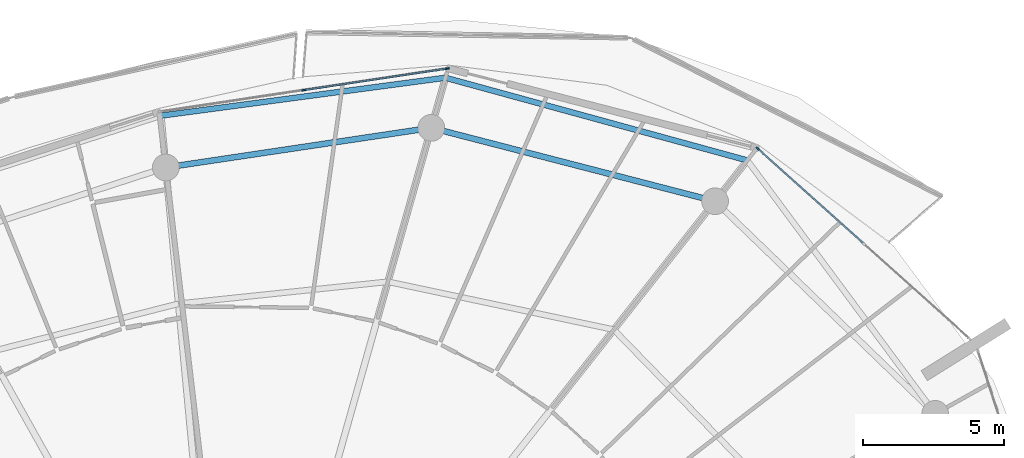
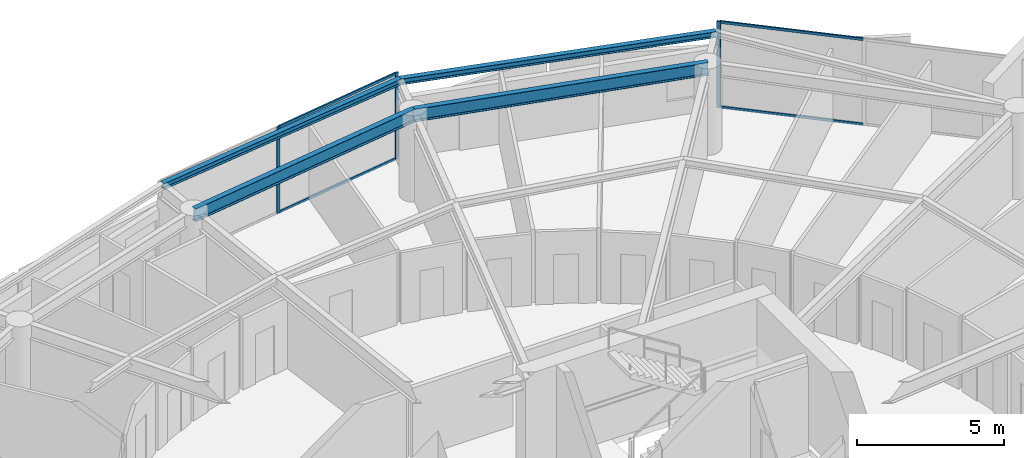
# One storey, part 16 of 30: 7 members, 4 beams, 2 elements without a shape of their own.
"""IFC4 building model written with IfcOpenShell, lengths in metres."""

from ifc_helpers import new_model, si_unit, direction, frame, origin, origin_2d, place, context, subcontext, project, spatial, rectangle, i_section, extrude, material, layer, layer_set, material_profile, profile_set, type_object, element, aggregate, save


model = new_model("IFC4")

# Units and contexts
model_context = context("Model", 3, precision=1e-05, world=origin(), true_north=direction((0.0, 1.0)))
body_context = subcontext(model_context, "Body", "Model", "MODEL_VIEW")
ifc_project = project(units=[si_unit("LENGTHUNIT", "METRE"), si_unit("AREAUNIT", "SQUARE_METRE"), si_unit("VOLUMEUNIT", "CUBIC_METRE"), si_unit("PLANEANGLEUNIT", "RADIAN"), si_unit("MASSUNIT", "GRAM", prefix="KILO")], contexts=[model_context])

# Site, building, storey
site_placement = place(None, origin())
site = spatial("IfcSite", under=ifc_project, at=site_placement, CompositionType="ELEMENT")
building_placement = place(site_placement, origin())
building = spatial("IfcBuilding", under=site, at=building_placement, Name="Kazma Halo Residences", CompositionType="ELEMENT")
storey_placement = place(building_placement, frame((0.0, 0.0, 267.5)))
storey = spatial("IfcBuildingStorey", under=building, at=storey_placement, Name="L67", CompositionType="ELEMENT", Elevation=267.5)

# Beams
ifc_material_1 = material(Name="Steel S355", Category="steel")
ifc_material_profile_1 = material_profile(ifc_material_1, i_section(OverallWidth=0.201904296875, OverallDepth=0.2470703125, WebThickness=0.00732421875, FlangeThickness=0.010986328125, FilletRadius=0.011962890625, at=origin_2d()), Name="W250x49.1")
ifc_profile_set_1 = profile_set([ifc_material_profile_1], Name="Steel S355")
beam_type_1 = type_object("IfcBeamType", Name="BM-BAL-CANT", PredefinedType="BEAM", material=ifc_profile_set_1)
beam_1_placement = place(storey_placement, frame((65.992431640625, 64.823486328125, 3.466552734375), z_axis=(-0.964514665976, 0.264029277006, 0.0), x_axis=(-0.264029277006, -0.964514665976, 0.0)))
element("IfcBeam", 1, at=beam_1_placement, inside=storey, type_object=beam_type_1, Name="L67 wave-balcony tie beam 02", PredefinedType="BEAM", context=body_context, shape_type="SweptSolid", body=[
    extrude(i_section(OverallWidth=0.201904296875, OverallDepth=0.2470703125, WebThickness=0.00732421875, FlangeThickness=0.010986328125, FilletRadius=0.011962890625, at=origin_2d()), origin(), (0.0, 0.0, 1.0), 11.1220703125),
])
beam_2_placement = place(storey_placement, frame((55.26513671875, 67.760009765625, 3.466552734375), z_axis=(-0.991234798397, -0.132111976922, 0.0), x_axis=(0.132111976922, -0.991234798397, 0.0)))
element("IfcBeam", 2, at=beam_2_placement, inside=storey, type_object=beam_type_1, Name="L67 wave-balcony tie beam 03", PredefinedType="BEAM", context=body_context, shape_type="SweptSolid", body=[
    extrude(i_section(OverallWidth=0.201904296875, OverallDepth=0.2470703125, WebThickness=0.00732421875, FlangeThickness=0.010986328125, FilletRadius=0.011962890625, at=origin_2d()), origin(), (0.0, 0.0, 1.0), 10.198974609375),
])
ifc_material_profile_2 = material_profile(ifc_material_1, i_section(OverallWidth=0.208984375, OverallDepth=0.532958984375, WebThickness=0.01025390625, FlangeThickness=0.015625, FilletRadius=0.01611328125, at=origin_2d()), Name="W530x92")
ifc_profile_set_2 = profile_set([ifc_material_profile_2], Name="Steel S355")
beam_type_2 = type_object("IfcBeamType", Name="BM-SPN-W530", PredefinedType="BEAM", material=ifc_profile_set_2)
beam_3_placement = place(storey_placement, frame((64.84716796875, 63.37060546875, 3.323486328125), z_axis=(-0.968126042852, 0.250463500639, 0.0), x_axis=(-0.250463500639, -0.968126042852, 0.0)))
element("IfcBeam", 3, at=beam_3_placement, inside=storey, type_object=beam_type_2, Name="L67 perimeter ring beam 02", PredefinedType="BEAM", context=body_context, shape_type="SweptSolid", body=[
    extrude(i_section(OverallWidth=0.208984375, OverallDepth=0.532958984375, WebThickness=0.01025390625, FlangeThickness=0.015625, FilletRadius=0.01611328125, at=origin_2d()), origin(), (0.0, 0.0, 1.0), 10.416259765625),
])
beam_4_placement = place(storey_placement, frame((54.762939453125, 65.9794921875, 3.323486328125), z_axis=(-0.989035441627, -0.147678350495, 0.0), x_axis=(0.147678350495, -0.989035441627, 0.0)))
element("IfcBeam", 4, at=beam_4_placement, inside=storey, type_object=beam_type_2, Name="L67 perimeter ring beam 03", PredefinedType="BEAM", context=body_context, shape_type="SweptSolid", body=[
    extrude(i_section(OverallWidth=0.208984375, OverallDepth=0.532958984375, WebThickness=0.01025390625, FlangeThickness=0.015625, FilletRadius=0.01611328125, at=origin_2d()), origin(), (0.0, 0.0, 1.0), 9.538818359375),
])

# Curtain wall, member
ifc_material_2 = material(Name="Aluminium AW-6063 T6 and Triple-Silver Low-E Glass", Category="aluminium")
ifc_layer = layer(ifc_material_2, 0.139892578125)
ifc_layer_set = layer_set([ifc_layer], Name="Aluminium AW-6063 T6 and Triple-Silver Low-E Glass")
curtain_wall_type = type_object("IfcCurtainWallType", Name="CW-SYS-5", PredefinedType="NOTDEFINED", material=ifc_layer_set)
curtain_wall_1_placement = place(storey_placement, origin())
curtain_wall_1 = element("IfcCurtainWall", 5, at=curtain_wall_1_placement, inside=storey, type_object=curtain_wall_type, Name="L67 unitised curtain wall B01", PredefinedType="NOTDEFINED")
ifc_material_3 = material(Name="Aluminium AW-6063 T6", Category="aluminium")
ifc_material_profile_3 = material_profile(ifc_material_3, rectangle(XDim=0.06005859375, YDim=0.139892578125, at=origin_2d()), Name="CWM-60x140")
ifc_profile_set_3 = profile_set([ifc_material_profile_3], Name="Aluminium AW-6063 T6")
member_type_1 = type_object("IfcMemberType", Name="CW-SYS-5-MUL", PredefinedType="MULLION", material=ifc_profile_set_3)
member_1_placement = place(storey_placement, frame((66.3603515625, 65.241455078125, 0.0), z_axis=(0.0, 0.0, 1.0), x_axis=(-0.667804826958, -0.744336424671, 0.0)))
member_1 = element("IfcMember", 6, at=member_1_placement, type_object=member_type_1, Name="CWS-5 mullion 3", PredefinedType="MULLION", context=body_context, shape_type="SweptSolid", body=[
    extrude(rectangle(XDim=0.06005859375, YDim=0.139892578125, at=origin_2d()), origin(), (0.0, 0.0, 1.0), 3.590087890625),
])

# Curtain wall, members
curtain_wall_2_placement = place(storey_placement, origin())
curtain_wall_2 = element("IfcCurtainWall", 7, at=curtain_wall_2_placement, inside=storey, type_object=curtain_wall_type, Name="L67 unitised curtain wall B03", PredefinedType="NOTDEFINED")
member_2_placement = place(storey_placement, frame((55.328857421875, 68.087158203125, 0.0), z_axis=(0.0, 0.0, 1.0), x_axis=(0.148697080374, -0.988882792998, 0.0)))
member_2 = element("IfcMember", 8, at=member_2_placement, type_object=member_type_1, Name="CWS-5 mullion 1", PredefinedType="MULLION", context=body_context, shape_type="SweptSolid", body=[
    extrude(rectangle(XDim=0.06005859375, YDim=0.139892578125, at=origin_2d()), origin(), (0.0, 0.0, 1.0), 3.590087890625),
])
member_3_placement = place(storey_placement, frame((50.2265625, 67.320068359375, 0.0), z_axis=(0.0, 0.0, 1.0), x_axis=(0.148697080374, -0.988882792998, 0.0)))
member_3 = element("IfcMember", 9, at=member_3_placement, type_object=member_type_1, Name="CWS-5 mullion 2", PredefinedType="MULLION", context=body_context, shape_type="SweptSolid", body=[
    extrude(rectangle(XDim=0.06005859375, YDim=0.139892578125, at=origin_2d()), origin(), (0.0, 0.0, 1.0), 3.590087890625),
])

# Member
ifc_material_profile_4 = material_profile(ifc_material_3, rectangle(XDim=0.06005859375, YDim=0.10498046875, at=origin_2d()), Name="CWT-60x105")
ifc_profile_set_4 = profile_set([ifc_material_profile_4], Name="Aluminium AW-6063 T6")
member_type_2 = type_object("IfcMemberType", Name="CW-SYS-5-TRN", PredefinedType="USERDEFINED", material=ifc_profile_set_4)
member_4_placement = place(storey_placement, frame((70.099609375, 61.88671875, 0.030029296875), z_axis=(-0.744350700793, 0.667788914425, 0.0), x_axis=(-0.667788914425, -0.744350700793, 0.0)))
member_4 = element("IfcMember", 10, at=member_4_placement, type_object=member_type_2, Name="CWS-5 transom 2.1", ObjectType="TRANSOM", PredefinedType="USERDEFINED", context=body_context, shape_type="SweptSolid", body=[
    extrude(rectangle(XDim=0.06005859375, YDim=0.10498046875, at=origin_2d()), origin(), (0.0, 0.0, 1.0), 4.99365234375),
])

member_5_placement = place(storey_placement, frame((70.099609375, 61.88671875, 3.56005859375), z_axis=(-0.744350700793, 0.667788914425, 0.0), x_axis=(-0.667788914425, -0.744350700793, 0.0)))
member_5 = element("IfcMember", 11, at=member_5_placement, type_object=member_type_2, Name="CWS-5 transom 2.2", ObjectType="TRANSOM", PredefinedType="USERDEFINED", context=body_context, shape_type="SweptSolid", body=[
    extrude(rectangle(XDim=0.06005859375, YDim=0.10498046875, at=origin_2d()), origin(), (0.0, 0.0, 1.0), 4.99365234375),
])

aggregate(curtain_wall_1, [member_1, member_4, member_5])

member_6_placement = place(storey_placement, frame((55.29931640625, 68.082763671875, 0.030029296875), z_axis=(-0.988883972013, -0.148689239341, 0.0), x_axis=(0.148689239341, -0.988883972013, 0.0)))
member_6 = element("IfcMember", 12, at=member_6_placement, type_object=member_type_2, Name="CWS-5 transom 1.1", ObjectType="TRANSOM", PredefinedType="USERDEFINED", context=body_context, shape_type="SweptSolid", body=[
    extrude(rectangle(XDim=0.06005859375, YDim=0.10498046875, at=origin_2d()), origin(), (0.0, 0.0, 1.0), 5.099853515625),
])

member_7_placement = place(storey_placement, frame((55.29931640625, 68.082763671875, 3.56005859375), z_axis=(-0.988883972013, -0.148689239341, 0.0), x_axis=(0.148689239341, -0.988883972013, 0.0)))
member_7 = element("IfcMember", 13, at=member_7_placement, type_object=member_type_2, Name="CWS-5 transom 1.2", ObjectType="TRANSOM", PredefinedType="USERDEFINED", context=body_context, shape_type="SweptSolid", body=[
    extrude(rectangle(XDim=0.06005859375, YDim=0.10498046875, at=origin_2d()), origin(), (0.0, 0.0, 1.0), 5.099853515625),
])

aggregate(curtain_wall_2, [member_2, member_3, member_6, member_7])

save(model, "model.ifc")
